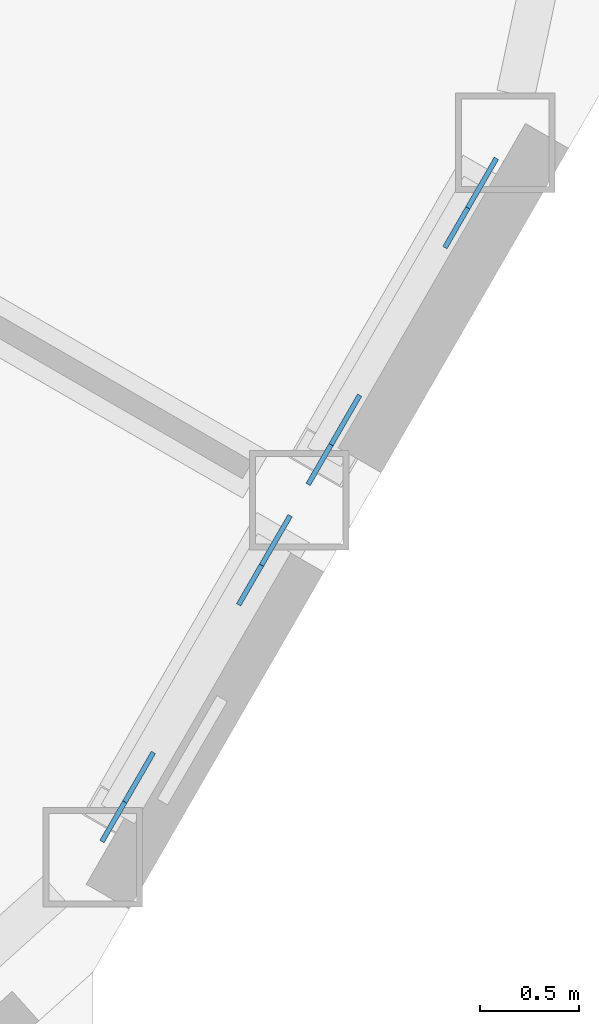
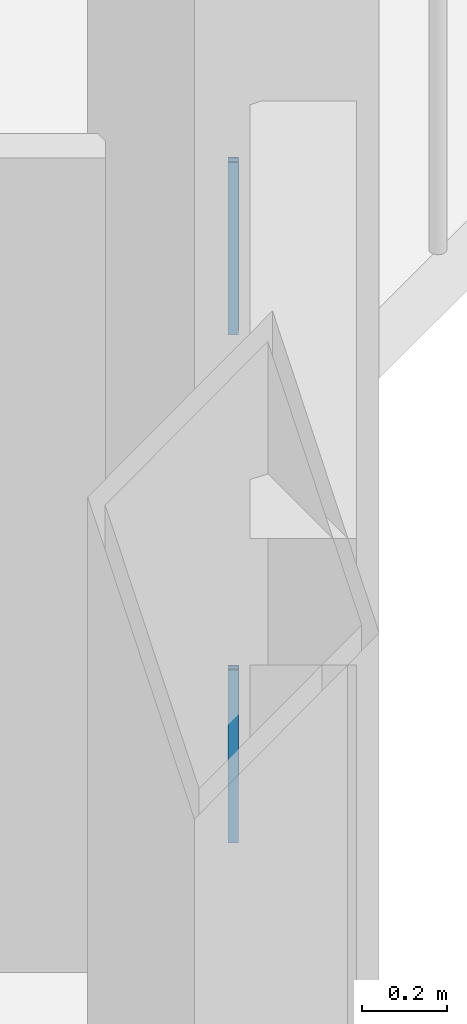
# One storey, part 20 of 26: 4 discrete accessories.
"""IFC4 building model written with IfcOpenShell, lengths in metres."""

from ifc_helpers import new_model, si_unit, direction, frame, origin, origin_2d, place, context, subcontext, project, spatial, rectangle, extrude, material, material_profile, profile_set, type_object, element, save


model = new_model("IFC4")

# Units and contexts
model_context = context("Model", 3, precision=1e-05, world=origin(), true_north=direction((0.0, 1.0)))
body_context = subcontext(model_context, "Body", "Model", "MODEL_VIEW")
ifc_project = project(units=[si_unit("LENGTHUNIT", "METRE"), si_unit("AREAUNIT", "SQUARE_METRE"), si_unit("VOLUMEUNIT", "CUBIC_METRE"), si_unit("PLANEANGLEUNIT", "RADIAN"), si_unit("MASSUNIT", "GRAM", prefix="KILO")], contexts=[model_context])

# Site, building, storey
site_placement = place(None, origin())
site = spatial("IfcSite", under=ifc_project, at=site_placement, CompositionType="ELEMENT")
building_placement = place(site_placement, origin())
building = spatial("IfcBuilding", under=site, at=building_placement, Name="Cormorant Prow Tower", CompositionType="ELEMENT")
storey_placement = place(building_placement, frame((0.0, 0.0, 374.60009765625)))
storey = spatial("IfcBuildingStorey", under=building, at=storey_placement, Name="L84", CompositionType="ELEMENT", Elevation=374.60009765625)

# Discrete accessories
ifc_material = material(Name="Structural steel ASTM A500 Gr C", Category="steel")
ifc_material_profile = material_profile(ifc_material, rectangle(XDim=0.02490234375, YDim=0.405029296875, at=origin_2d()), Name="Gusset plate 25x405")
ifc_profile_set = profile_set([ifc_material_profile], Name="Structural steel ASTM A500 Gr C")
discrete_accessory_type = type_object("IfcDiscreteAccessoryType", Name="Gusset plate 25x405", PredefinedType="BRACKET", material=ifc_profile_set)
for number, where, z_axis, x_axis, name in (
    (1, (26.7900390625, -16.037109375, 0.941162109375), (0.411595697368, 0.712269842394, -0.568560158228), (-0.865832418869, 0.500334110806, 0.0), "Gusset plate GP3 L84.ESE00.g0"),
    (2, (26.246826171875, -16.978271484375, 1.692626953125), (-0.411595697368, -0.712269842394, 0.568560158228), (0.865832418869, -0.500334110806, 0.0), "Gusset plate GP3 L84.ESE00.g1"),
    (3, (27.8271484375, -14.2412109375, 0.941162109375), (0.411016012482, 0.712474276306, -0.568723344945), (-0.866199709737, 0.499697971631, 0.0), "Gusset plate GP3 L84.ESE01.g0"),
    (4, (27.28369140625, -15.182373046875, 1.692626953125), (-0.411595697368, -0.712269842394, 0.568560158228), (0.865832418869, -0.500334110806, 0.0), "Gusset plate GP3 L84.ESE01.g1"),
):
    element("IfcDiscreteAccessory", number, at=place(storey_placement, frame(where, z_axis=z_axis, x_axis=x_axis)), inside=storey, type_object=discrete_accessory_type, Name=name, PredefinedType="BRACKET", context=body_context, shape_type="SweptSolid", body=[
        extrude(rectangle(XDim=0.02490234375, YDim=0.405029296875, at=origin_2d()), origin(), (0.0, 0.0, 1.0), 0.349853515625),
    ])

save(model, "model.ifc")
